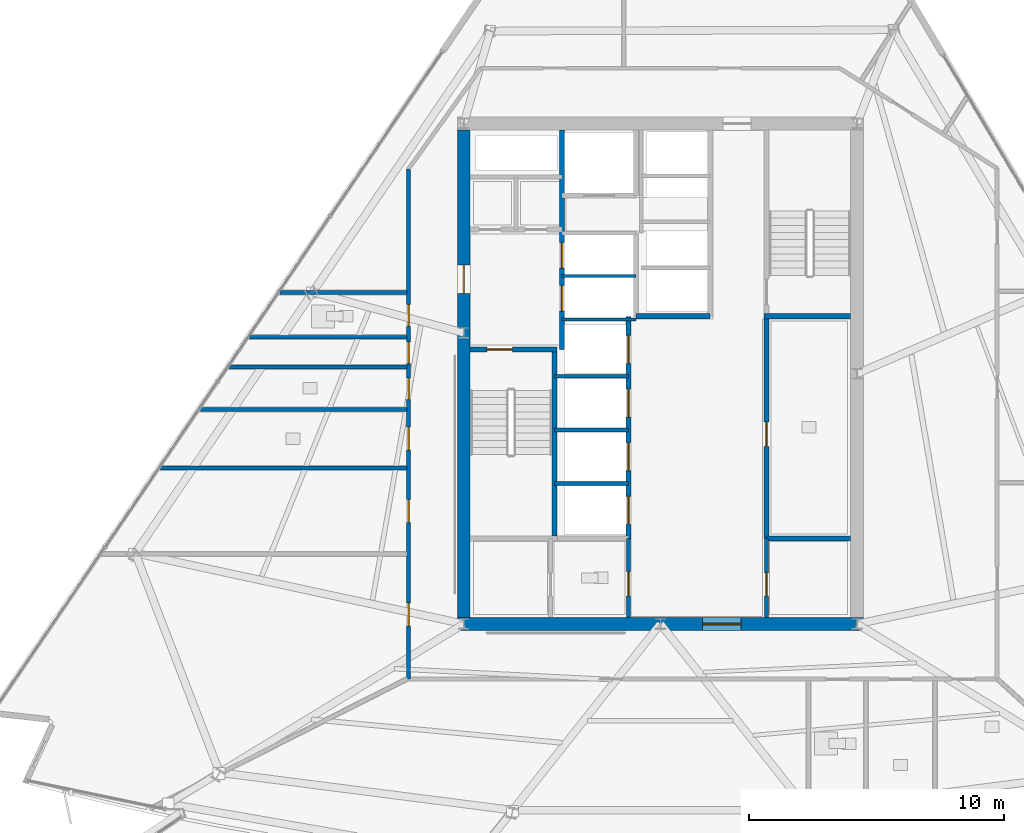
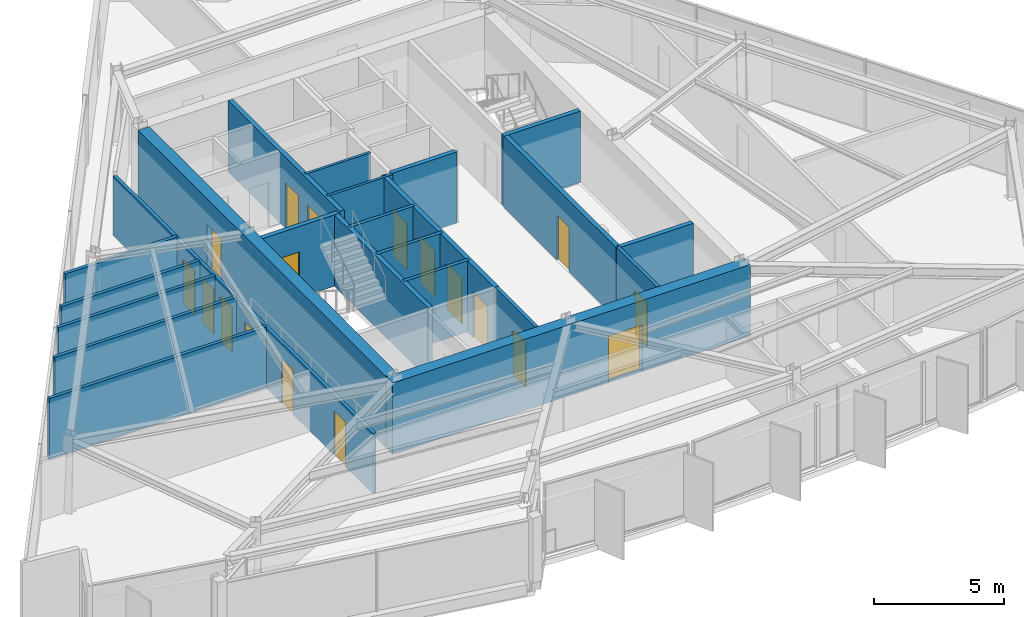
# One storey, part 8 of 14: 23 walls, 18 doors, 18 openings.
"""IFC4 building model written with IfcOpenShell, lengths in metres."""

from ifc_helpers import new_model, si_unit, direction, frame, frame_2d, origin, place, context, subcontext, project, spatial, rectangle, extrude, material, layer, layer_set, type_object, element, fill, save


model = new_model("IFC4")

# Units and contexts
model_context = context("Model", 3, precision=1e-05, world=origin(), true_north=direction((0.0, 1.0)))
body_context = subcontext(model_context, "Body", "Model", "MODEL_VIEW")
ifc_project = project(units=[si_unit("LENGTHUNIT", "METRE"), si_unit("AREAUNIT", "SQUARE_METRE"), si_unit("VOLUMEUNIT", "CUBIC_METRE"), si_unit("PLANEANGLEUNIT", "RADIAN"), si_unit("MASSUNIT", "GRAM", prefix="KILO")], contexts=[model_context])

# Site, building, storey
site_placement = place(None, origin())
site = spatial("IfcSite", under=ifc_project, at=site_placement, CompositionType="ELEMENT")
building_placement = place(site_placement, origin())
building = spatial("IfcBuilding", under=site, at=building_placement, Name="Savorim Split Tower", CompositionType="ELEMENT")
storey_placement = place(building_placement, frame((0.0, 0.0, 178.199951171875)))
storey = spatial("IfcBuildingStorey", under=building, at=storey_placement, Name="L47", CompositionType="ELEMENT", Elevation=178.199951171875)

# Wall, opening, door
ifc_material_1 = material(Name="Concrete C60/75", Category="concrete")
ifc_layer_1 = layer(ifc_material_1, 0.5)
ifc_layer_set_1 = layer_set([ifc_layer_1], Name="WAL-COR-SH500")
wall_type_1 = type_object("IfcWallType", Name="WAL-COR-SH500", PredefinedType="SHEAR", material=ifc_layer_set_1)
wall_1_placement = place(storey_placement, frame((-7.949951171875, -9.39990234375, 0.0), z_axis=(0.0, 0.0, 1.0), x_axis=(1.0, 0.0, 0.0)))
wall_1 = element("IfcWall", 1, at=wall_1_placement, inside=storey, type_object=wall_type_1, Name="L47 Offset Core South Shear Wall", PredefinedType="SHEAR", context=body_context, shape_type="SweptSolid", body=[
    extrude(rectangle(XDim=15.89990234375, YDim=0.5, at=frame_2d((7.949951171875, 0.0))), origin(), (0.0, 0.0, 1.0), 3.35009765625),
])
opening_1_placement = place(wall_1_placement, frame((9.60009765625, 0.0, 0.0)))
opening_1 = element("IfcOpeningElement", 2, at=opening_1_placement, cuts=wall_1, Name="Opening DI-02", PredefinedType="OPENING", context=body_context, shape_type="SweptSolid", body=[
    extrude(rectangle(XDim=1.5, YDim=2.199951171875, at=frame_2d((0.75, 1.10009765625))), frame((0.0, 0.260009765625, 0.0), z_axis=(0.0, -1.0, 0.0), x_axis=(1.0, 0.0, 0.0)), (0.0, 0.0, 1.0), 0.52001953125),
])
ifc_material_2 = material(Name="Timber Fire Door Leaf", Category="wood")
door_type_1 = type_object("IfcDoorType", Name="DOR-DBL-1500", OperationType="NOTDEFINED", PredefinedType="DOOR", material=ifc_material_2)
door_1_placement = place(opening_1_placement, origin())
door_1 = element("IfcDoor", 3, at=door_1_placement, inside=storey, type_object=door_type_1, Name="DOR-L47-COR-LLOB - L47 Lift Lobby Main Rated Door", OperationType="DOUBLE_DOOR_SINGLE_SWING", OverallHeight=2.199951171875, OverallWidth=1.5, PredefinedType="DOOR", context=body_context, shape_type="SweptSolid", body=[
    extrude(rectangle(XDim=1.5, YDim=2.199951171875, at=frame_2d((0.75, 1.10009765625))), frame((0.0, 0.02490234375, 0.0), z_axis=(0.0, -1.0, 0.0), x_axis=(1.0, 0.0, 0.0)), (0.0, 0.0, 1.0), 0.050048828125),
])
fill(opening_1, door_1)

wall_2_placement = place(storey_placement, frame((-7.699951171875, -9.14990234375, 0.0), z_axis=(0.0, 0.0, 1.0), x_axis=(0.0, 1.0, 0.0)))
wall_2 = element("IfcWall", 4, at=wall_2_placement, inside=storey, type_object=wall_type_1, Name="L47 Offset Core West Shear Wall", PredefinedType="SHEAR", context=body_context, shape_type="SweptSolid", body=[
    extrude(rectangle(XDim=19.099853515625, YDim=0.5, at=frame_2d((9.5498046875, 0.0))), origin(), (0.0, 0.0, 1.0), 3.35009765625),
])
opening_2_placement = place(wall_2_placement, frame((12.699951171875, 0.0, 0.0)))
opening_2 = element("IfcOpeningElement", 5, at=opening_2_placement, cuts=wall_2, Name="Opening DI-03", PredefinedType="OPENING", context=body_context, shape_type="SweptSolid", body=[
    extrude(rectangle(XDim=1.10009765625, YDim=2.14990234375, at=frame_2d((0.550048828125, 1.074951171875))), frame((0.0, 0.260009765625, 0.0), z_axis=(0.0, -1.0, 0.0), x_axis=(1.0, 0.0, 0.0)), (0.0, 0.0, 1.0), 0.52001953125),
])
door_type_2 = type_object("IfcDoorType", Name="DOR-FIR-1100", OperationType="NOTDEFINED", PredefinedType="DOOR", material=ifc_material_2)
door_2_placement = place(opening_2_placement, origin())
door_2 = element("IfcDoor", 6, at=door_2_placement, inside=storey, type_object=door_type_2, Name="DOR-L47-COR-FFLOB - L47 Firefighting Lobby Corridor Door", OperationType="SINGLE_SWING_LEFT", OverallHeight=2.14990234375, OverallWidth=1.10009765625, PredefinedType="DOOR", context=body_context, shape_type="SweptSolid", body=[
    extrude(rectangle(XDim=1.10009765625, YDim=2.14990234375, at=frame_2d((0.550048828125, 1.074951171875))), frame((0.0, 0.02490234375, 0.0), z_axis=(0.0, -1.0, 0.0), x_axis=(1.0, 0.0, 0.0)), (0.0, 0.0, 1.0), 0.050048828125),
])
fill(opening_2, door_2)

ifc_material_3 = material(Name="Concrete C50/60", Category="concrete")
ifc_layer_2 = layer(ifc_material_3, 0.199951171875)
ifc_layer_set_2 = layer_set([ifc_layer_2], Name="WAL-INT-RC200")
wall_type_2 = type_object("IfcWallType", Name="WAL-INT-RC200", PredefinedType="SOLIDWALL", material=ifc_layer_set_2)
wall_3_placement = place(storey_placement, frame((-7.449951171875, 1.35009765625, 0.0), z_axis=(0.0, 0.0, 1.0), x_axis=(1.0, 0.0, 0.0)))
wall_3 = element("IfcWall", 7, at=wall_3_placement, inside=storey, type_object=wall_type_2, Name="L47 Structural Shaft Wall W-L47-CR01", PredefinedType="SOLIDWALL", context=body_context, shape_type="SweptSolid", body=[
    extrude(rectangle(XDim=3.39990234375, YDim=0.199951171875, at=frame_2d((1.699951171875, 0.0))), origin(), (0.0, 0.0, 1.0), 3.35009765625),
])
opening_3_placement = place(wall_3_placement, frame((0.64990234375, 0.0, 0.0)))
opening_3 = element("IfcOpeningElement", 8, at=opening_3_placement, cuts=wall_3, Name="Opening DI-04", PredefinedType="OPENING", context=body_context, shape_type="SweptSolid", body=[
    extrude(rectangle(XDim=1.0, YDim=2.14990234375, at=frame_2d((0.5, 1.074951171875))), frame((0.0, 0.10986328125, 0.0), z_axis=(0.0, -1.0, 0.0), x_axis=(1.0, 0.0, 0.0)), (0.0, 0.0, 1.0), 0.219970703125),
])
door_type_3 = type_object("IfcDoorType", Name="DOR-FIR-1000", OperationType="NOTDEFINED", PredefinedType="DOOR", material=ifc_material_2)
door_3_placement = place(opening_3_placement, origin())
door_3 = element("IfcDoor", 9, at=door_3_placement, inside=storey, type_object=door_type_3, Name="DR-L47-ST1 - L47 Stair ST-1 Enclosure Door", OperationType="SINGLE_SWING_LEFT", OverallHeight=2.14990234375, OverallWidth=1.0, PredefinedType="DOOR", context=body_context, shape_type="SweptSolid", body=[
    extrude(rectangle(XDim=1.0, YDim=2.14990234375, at=frame_2d((0.5, 1.074951171875))), frame((0.0, 0.02490234375, 0.0), z_axis=(0.0, -1.0, 0.0), x_axis=(1.0, 0.0, 0.0)), (0.0, 0.0, 1.0), 0.050048828125),
])
fill(opening_3, door_3)

# Wall
wall_4_placement = place(storey_placement, frame((-4.14990234375, -5.949951171875, 0.0), z_axis=(0.0, 0.0, 1.0), x_axis=(0.0, 1.0, 0.0)))
element("IfcWall", 10, at=wall_4_placement, inside=storey, type_object=wall_type_2, Name="L47 Structural Shaft Wall W-L47-CR02", PredefinedType="SOLIDWALL", context=body_context, shape_type="SweptSolid", body=[
    extrude(rectangle(XDim=7.199951171875, YDim=0.199951171875, at=frame_2d((3.60009765625, 0.0))), origin(), (0.0, 0.0, 1.0), 3.35009765625),
])

# Wall, openings, doors
wall_5_placement = place(storey_placement, frame((-3.85009765625, 1.35009765625, 0.0), z_axis=(0.0, 0.0, 1.0), x_axis=(0.0, 1.0, 0.0)))
wall_5 = element("IfcWall", 11, at=wall_5_placement, inside=storey, type_object=wall_type_2, Name="L47 Partition W-L47-CR03", PredefinedType="SOLIDWALL", context=body_context, shape_type="SweptSolid", body=[
    extrude(rectangle(XDim=8.594970703125, YDim=0.199951171875, at=frame_2d((4.29736328125, 0.0))), origin(), (0.0, 0.0, 1.0), 3.35009765625),
])
opening_4_placement = place(wall_5_placement, frame((1.5, 0.0, 0.0)))
opening_4 = element("IfcOpeningElement", 12, at=opening_4_placement, cuts=wall_5, Name="Opening LD-FFL", PredefinedType="OPENING", context=body_context, shape_type="SweptSolid", body=[
    extrude(rectangle(XDim=1.0, YDim=2.14990234375, at=frame_2d((0.5, 1.074951171875))), frame((0.0, 0.10986328125, 0.0), z_axis=(0.0, -1.0, 0.0), x_axis=(1.0, 0.0, 0.0)), (0.0, 0.0, 1.0), 0.219970703125),
])
opening_5_placement = place(wall_5_placement, frame((3.179931640625, 0.0, 0.0)))
opening_5 = element("IfcOpeningElement", 13, at=opening_5_placement, cuts=wall_5, Name="Opening LD-FFL", PredefinedType="OPENING", context=body_context, shape_type="SweptSolid", body=[
    extrude(rectangle(XDim=1.0, YDim=2.14990234375, at=frame_2d((0.5, 1.074951171875))), frame((0.0, 0.10986328125, 0.0), z_axis=(0.0, -1.0, 0.0), x_axis=(1.0, 0.0, 0.0)), (0.0, 0.0, 1.0), 0.219970703125),
])
ifc_material_4 = material(Name="Charcoal Anodised Aluminium", Category="aluminium")
door_type_4 = type_object("IfcDoorType", Name="DOR-SLD-LD1000", OperationType="NOTDEFINED", PredefinedType="DOOR", material=ifc_material_4)
door_4_placement = place(opening_4_placement, origin())
door_4 = element("IfcDoor", 14, at=door_4_placement, inside=storey, type_object=door_type_4, Name="DR-L47-LD-FFL1 - L47 Firefighting Lift FFL-1 Sliding Landing Door", OperationType="DOUBLE_DOOR_SLIDING", OverallHeight=2.14990234375, OverallWidth=1.0, PredefinedType="DOOR", context=body_context, shape_type="SweptSolid", body=[
    extrude(rectangle(XDim=1.0, YDim=2.14990234375, at=frame_2d((0.5, 1.074951171875))), frame((0.0, 0.02490234375, 0.0), z_axis=(0.0, -1.0, 0.0), x_axis=(1.0, 0.0, 0.0)), (0.0, 0.0, 1.0), 0.050048828125),
])
fill(opening_4, door_4)
door_5_placement = place(opening_5_placement, origin())
door_5 = element("IfcDoor", 15, at=door_5_placement, inside=storey, type_object=door_type_4, Name="DR-L47-LD-FFL2 - L47 Firefighting Lift FFL-2 Sliding Landing Door", OperationType="DOUBLE_DOOR_SLIDING", OverallHeight=2.14990234375, OverallWidth=1.0, PredefinedType="DOOR", context=body_context, shape_type="SweptSolid", body=[
    extrude(rectangle(XDim=1.0, YDim=2.14990234375, at=frame_2d((0.5, 1.074951171875))), frame((0.0, 0.02490234375, 0.0), z_axis=(0.0, -1.0, 0.0), x_axis=(1.0, 0.0, 0.0)), (0.0, 0.0, 1.0), 0.050048828125),
])
fill(opening_5, door_5)

# Wall
wall_6_placement = place(storey_placement, frame((4.050048828125, 2.64990234375, 0.0), z_axis=(0.0, 0.0, 1.0), x_axis=(1.0, 0.0, 0.0)))
element("IfcWall", 16, at=wall_6_placement, inside=storey, type_object=wall_type_2, Name="L47 Structural Shaft Wall W-L47-CR08", PredefinedType="SOLIDWALL", context=body_context, shape_type="SweptSolid", body=[
    extrude(rectangle(XDim=3.39990234375, YDim=0.199951171875, at=frame_2d((1.699951171875, 0.0))), origin(), (0.0, 0.0, 1.0), 3.35009765625),
])

# Wall, opening, door
wall_7_placement = place(storey_placement, frame((4.14990234375, -6.050048828125, 0.0), z_axis=(0.0, 0.0, 1.0), x_axis=(0.0, 1.0, 0.0)))
wall_7 = element("IfcWall", 17, at=wall_7_placement, inside=storey, type_object=wall_type_2, Name="L47 Partition W-L47-B1FRONT", PredefinedType="SOLIDWALL", context=body_context, shape_type="SweptSolid", body=[
    extrude(rectangle(XDim=8.699951171875, YDim=0.199951171875, at=frame_2d((4.35009765625, 0.0))), origin(), (0.0, 0.0, 1.0), 3.35009765625),
])
opening_6_placement = place(wall_7_placement, frame((3.60009765625, 0.0, 0.0)))
opening_6 = element("IfcOpeningElement", 18, at=opening_6_placement, cuts=wall_7, Name="Opening DI-05", PredefinedType="OPENING", context=body_context, shape_type="SweptSolid", body=[
    extrude(rectangle(XDim=0.949951171875, YDim=2.10009765625, at=frame_2d((0.47509765625, 1.050048828125))), frame((0.0, 0.10986328125, 0.0), z_axis=(0.0, -1.0, 0.0), x_axis=(1.0, 0.0, 0.0)), (0.0, 0.0, 1.0), 0.219970703125),
])
door_type_5 = type_object("IfcDoorType", Name="DOR-FIR-950", OperationType="NOTDEFINED", PredefinedType="DOOR", material=ifc_material_2)
door_6_placement = place(opening_6_placement, origin())
door_6 = element("IfcDoor", 19, at=door_6_placement, inside=storey, type_object=door_type_5, Name="DR-L47-LV7B1 - L47 Community Laundry Room Door", OperationType="SINGLE_SWING_RIGHT", OverallHeight=2.10009765625, OverallWidth=0.949951171875, PredefinedType="DOOR", context=body_context, shape_type="SweptSolid", body=[
    extrude(rectangle(XDim=0.949951171875, YDim=2.10009765625, at=frame_2d((0.47509765625, 1.050048828125))), frame((0.0, 0.02490234375, 0.0), z_axis=(0.0, -1.0, 0.0), x_axis=(1.0, 0.0, 0.0)), (0.0, 0.0, 1.0), 0.050048828125),
])
fill(opening_6, door_6)

# Wall, openings, doors
wall_8_placement = place(storey_placement, frame((-1.25, -6.050048828125, 0.0), z_axis=(0.0, 0.0, 1.0), x_axis=(0.0, 1.0, 0.0)))
wall_8 = element("IfcWall", 20, at=wall_8_placement, inside=storey, type_object=wall_type_2, Name="L47 Partition W-L47-B2FRONT", PredefinedType="SOLIDWALL", context=body_context, shape_type="SweptSolid", body=[
    extrude(rectangle(XDim=8.699951171875, YDim=0.199951171875, at=frame_2d((4.35009765625, 0.0))), origin(), (0.0, 0.0, 1.0), 3.35009765625),
])
opening_7_placement = place(wall_8_placement, frame((0.550048828125, 0.0, 0.0)))
opening_7 = element("IfcOpeningElement", 21, at=opening_7_placement, cuts=wall_8, Name="Opening LD-02", PredefinedType="OPENING", context=body_context, shape_type="SweptSolid", body=[
    extrude(rectangle(XDim=1.10009765625, YDim=2.14990234375, at=frame_2d((0.550048828125, 1.074951171875))), frame((0.0, 0.10986328125, 0.0), z_axis=(0.0, -1.0, 0.0), x_axis=(1.0, 0.0, 0.0)), (0.0, 0.0, 1.0), 0.219970703125),
])
opening_8_placement = place(wall_8_placement, frame((2.64990234375, 0.0, 0.0)))
opening_8 = element("IfcOpeningElement", 22, at=opening_8_placement, cuts=wall_8, Name="Opening LD-02", PredefinedType="OPENING", context=body_context, shape_type="SweptSolid", body=[
    extrude(rectangle(XDim=1.10009765625, YDim=2.14990234375, at=frame_2d((0.550048828125, 1.074951171875))), frame((0.0, 0.10986328125, 0.0), z_axis=(0.0, -1.0, 0.0), x_axis=(1.0, 0.0, 0.0)), (0.0, 0.0, 1.0), 0.219970703125),
])
opening_9_placement = place(wall_8_placement, frame((4.75, 0.0, 0.0)))
opening_9 = element("IfcOpeningElement", 23, at=opening_9_placement, cuts=wall_8, Name="Opening LD-02", PredefinedType="OPENING", context=body_context, shape_type="SweptSolid", body=[
    extrude(rectangle(XDim=1.10009765625, YDim=2.14990234375, at=frame_2d((0.550048828125, 1.074951171875))), frame((0.0, 0.10986328125, 0.0), z_axis=(0.0, -1.0, 0.0), x_axis=(1.0, 0.0, 0.0)), (0.0, 0.0, 1.0), 0.219970703125),
])
opening_10_placement = place(wall_8_placement, frame((6.85009765625, 0.0, 0.0)))
opening_10 = element("IfcOpeningElement", 24, at=opening_10_placement, cuts=wall_8, Name="Opening LD-02", PredefinedType="OPENING", context=body_context, shape_type="SweptSolid", body=[
    extrude(rectangle(XDim=1.10009765625, YDim=2.14990234375, at=frame_2d((0.550048828125, 1.074951171875))), frame((0.0, 0.10986328125, 0.0), z_axis=(0.0, -1.0, 0.0), x_axis=(1.0, 0.0, 0.0)), (0.0, 0.0, 1.0), 0.219970703125),
])
door_type_6 = type_object("IfcDoorType", Name="DOR-SLD-LDM1100", OperationType="NOTDEFINED", PredefinedType="DOOR", material=ifc_material_4)
door_7_placement = place(opening_7_placement, origin())
door_7 = element("IfcDoor", 25, at=door_7_placement, inside=storey, type_object=door_type_6, Name="DR-L47-LD-PLM1 - L47 Lift PL-M1 Sliding Landing Door", OperationType="DOUBLE_DOOR_SLIDING", OverallHeight=2.14990234375, OverallWidth=1.10009765625, PredefinedType="DOOR", context=body_context, shape_type="SweptSolid", body=[
    extrude(rectangle(XDim=1.10009765625, YDim=2.14990234375, at=frame_2d((0.550048828125, 1.074951171875))), frame((0.0, 0.02490234375, 0.0), z_axis=(0.0, -1.0, 0.0), x_axis=(1.0, 0.0, 0.0)), (0.0, 0.0, 1.0), 0.050048828125),
])
fill(opening_7, door_7)
door_8_placement = place(opening_8_placement, origin())
door_8 = element("IfcDoor", 26, at=door_8_placement, inside=storey, type_object=door_type_6, Name="DR-L47-LD-PLM2 - L47 Lift PL-M2 Sliding Landing Door", OperationType="DOUBLE_DOOR_SLIDING", OverallHeight=2.14990234375, OverallWidth=1.10009765625, PredefinedType="DOOR", context=body_context, shape_type="SweptSolid", body=[
    extrude(rectangle(XDim=1.10009765625, YDim=2.14990234375, at=frame_2d((0.550048828125, 1.074951171875))), frame((0.0, 0.02490234375, 0.0), z_axis=(0.0, -1.0, 0.0), x_axis=(1.0, 0.0, 0.0)), (0.0, 0.0, 1.0), 0.050048828125),
])
fill(opening_8, door_8)
door_9_placement = place(opening_9_placement, origin())
door_9 = element("IfcDoor", 27, at=door_9_placement, inside=storey, type_object=door_type_6, Name="DR-L47-LD-PLM3 - L47 Lift PL-M3 Sliding Landing Door", OperationType="DOUBLE_DOOR_SLIDING", OverallHeight=2.14990234375, OverallWidth=1.10009765625, PredefinedType="DOOR", context=body_context, shape_type="SweptSolid", body=[
    extrude(rectangle(XDim=1.10009765625, YDim=2.14990234375, at=frame_2d((0.550048828125, 1.074951171875))), frame((0.0, 0.02490234375, 0.0), z_axis=(0.0, -1.0, 0.0), x_axis=(1.0, 0.0, 0.0)), (0.0, 0.0, 1.0), 0.050048828125),
])
fill(opening_9, door_9)
door_10_placement = place(opening_10_placement, origin())
door_10 = element("IfcDoor", 28, at=door_10_placement, inside=storey, type_object=door_type_6, Name="DR-L47-LD-PLM4 - L47 Lift PL-M4 Sliding Landing Door", OperationType="DOUBLE_DOOR_SLIDING", OverallHeight=2.14990234375, OverallWidth=1.10009765625, PredefinedType="DOOR", context=body_context, shape_type="SweptSolid", body=[
    extrude(rectangle(XDim=1.10009765625, YDim=2.14990234375, at=frame_2d((0.550048828125, 1.074951171875))), frame((0.0, 0.02490234375, 0.0), z_axis=(0.0, -1.0, 0.0), x_axis=(1.0, 0.0, 0.0)), (0.0, 0.0, 1.0), 0.050048828125),
])
fill(opening_10, door_10)

# Walls
wall_9_placement = place(storey_placement, frame((-0.949951171875, 2.64990234375, 0.0), z_axis=(0.0, 0.0, 1.0), x_axis=(1.0, 0.0, 0.0)))
element("IfcWall", 29, at=wall_9_placement, inside=storey, type_object=wall_type_2, Name="L47 Partition W-L47-B3SOUTH", PredefinedType="SOLIDWALL", context=body_context, shape_type="SweptSolid", body=[
    extrude(rectangle(XDim=2.89990234375, YDim=0.199951171875, at=frame_2d((1.449951171875, 0.0))), origin(), (0.0, 0.0, 1.0), 3.35009765625),
])
wall_10_placement = place(storey_placement, frame((4.14990234375, -6.050048828125, 0.0), z_axis=(0.0, 0.0, 1.0), x_axis=(1.0, 0.0, 0.0)))
element("IfcWall", 30, at=wall_10_placement, inside=storey, type_object=wall_type_2, Name="L47 Partition W-L47-KSEP-E", PredefinedType="SOLIDWALL", context=body_context, shape_type="SweptSolid", body=[
    extrude(rectangle(XDim=3.295166015625, YDim=0.199951171875, at=frame_2d((1.6474609375, 0.0))), origin(), (0.0, 0.0, 1.0), 3.35009765625),
])
ifc_material_5 = material(Name="Acoustic Gypsum Partition Board")
ifc_layer_3 = layer(ifc_material_5, 0.1201171875)
ifc_layer_set_3 = layer_set([ifc_layer_3], Name="WAL-PAR-120")
wall_type_3 = type_object("IfcWallType", Name="WAL-PAR-120", PredefinedType="PARTITIONING", material=ifc_layer_set_3)
for number, where, z_axis, x_axis, name in (
    (31, (-3.85009765625, 2.52001953125, 0.0), (0.0, 0.0, 1.0), (1.0, 0.0, 0.0), "L47 Partition W-L47-FFLD0"),
    (32, (-3.85009765625, 4.219970703125, 0.0), (0.0, 0.0, 1.0), (1.0, 0.0, 0.0), "L47 Partition W-L47-FFLD1"),
):
    element("IfcWall", number, at=place(storey_placement, frame(where, z_axis=z_axis, x_axis=x_axis)), inside=storey, type_object=wall_type_3, Name=name, PredefinedType="PARTITIONING", context=body_context, shape_type="SweptSolid", body=[
        extrude(rectangle(XDim=2.900146484375, YDim=0.1201171875, at=frame_2d((1.4501953125, 0.0))), origin(), (0.0, 0.0, 1.0), 3.35009765625),
    ])
ifc_layer_4 = layer(ifc_material_5, 0.14990234375)
ifc_layer_set_4 = layer_set([ifc_layer_4], Name="WAL-PAR-150")
wall_type_4 = type_object("IfcWallType", Name="WAL-PAR-150", PredefinedType="PARTITIONING", material=ifc_layer_set_4)
for number, where, z_axis, x_axis, name in (
    (33, (-4.14990234375, -3.89990234375, 0.0), (0.0, 0.0, 1.0), (1.0, 0.0, 0.0), "L47 Partition W-L47-B2DIV1"),
    (34, (-4.14990234375, -1.800048828125, 0.0), (0.0, 0.0, 1.0), (1.0, 0.0, 0.0), "L47 Partition W-L47-B2DIV2"),
    (35, (-4.14990234375, 0.300048828125, 0.0), (0.0, 0.0, 1.0), (1.0, 0.0, 0.0), "L47 Partition W-L47-B2DIV3"),
):
    element("IfcWall", number, at=place(storey_placement, frame(where, z_axis=z_axis, x_axis=x_axis)), inside=storey, type_object=wall_type_4, Name=name, PredefinedType="PARTITIONING", context=body_context, shape_type="SweptSolid", body=[
        extrude(rectangle(XDim=2.89990234375, YDim=0.14990234375, at=frame_2d((1.449951171875, 0.0))), origin(), (0.0, 0.0, 1.0), 3.35009765625),
    ])

# Wall, opening, door
wall_11_placement = place(storey_placement, frame((-1.25, -9.14501953125, 0.0), z_axis=(0.0, 0.0, 1.0), x_axis=(0.0, 1.0, 0.0)))
wall_11 = element("IfcWall", 36, at=wall_11_placement, inside=storey, type_object=wall_type_4, Name="L47 Partition W-L47-KLOB-W", PredefinedType="PARTITIONING", context=body_context, shape_type="SweptSolid", body=[
    extrude(rectangle(XDim=3.094970703125, YDim=0.14990234375, at=frame_2d((1.54736328125, 0.0))), origin(), (0.0, 0.0, 1.0), 3.35009765625),
])
opening_11_placement = place(wall_11_placement, frame((0.844970703125, 0.0, 0.0)))
opening_11 = element("IfcOpeningElement", 37, at=opening_11_placement, cuts=wall_11, Name="Opening DI-10", PredefinedType="OPENING", context=body_context, shape_type="SweptSolid", body=[
    extrude(rectangle(XDim=0.949951171875, YDim=2.10009765625, at=frame_2d((0.47509765625, 1.050048828125))), frame((0.0, 0.0849609375, 0.0), z_axis=(0.0, -1.0, 0.0), x_axis=(1.0, 0.0, 0.0)), (0.0, 0.0, 1.0), 0.169921875),
])
ifc_material_6 = material(Name="Oak Veneer Acoustic Door")
door_type_7 = type_object("IfcDoorType", Name="DOR-WC-950", OperationType="NOTDEFINED", PredefinedType="DOOR", material=ifc_material_6)
door_11_placement = place(opening_11_placement, origin())
door_11 = element("IfcDoor", 38, at=door_11_placement, inside=storey, type_object=door_type_7, Name="DR-L47-K1WC - L47 Core Accessible WC Door", OperationType="SINGLE_SWING_LEFT", OverallHeight=2.10009765625, OverallWidth=0.949951171875, PredefinedType="DOOR", context=body_context, shape_type="SweptSolid", body=[
    extrude(rectangle(XDim=0.949951171875, YDim=2.10009765625, at=frame_2d((0.47509765625, 1.050048828125))), frame((0.0, 0.02490234375, 0.0), z_axis=(0.0, -1.0, 0.0), x_axis=(1.0, 0.0, 0.0)), (0.0, 0.0, 1.0), 0.050048828125),
])
fill(opening_11, door_11)

wall_12_placement = place(storey_placement, frame((4.14990234375, -9.14501953125, 0.0), z_axis=(0.0, 0.0, 1.0), x_axis=(0.0, 1.0, 0.0)))
wall_12 = element("IfcWall", 39, at=wall_12_placement, inside=storey, type_object=wall_type_4, Name="L47 Partition W-L47-KLOB-E", PredefinedType="PARTITIONING", context=body_context, shape_type="SweptSolid", body=[
    extrude(rectangle(XDim=3.094970703125, YDim=0.14990234375, at=frame_2d((1.54736328125, 0.0))), origin(), (0.0, 0.0, 1.0), 3.35009765625),
])
opening_12_placement = place(wall_12_placement, frame((0.844970703125, 0.0, 0.0)))
opening_12 = element("IfcOpeningElement", 40, at=opening_12_placement, cuts=wall_12, Name="Opening DI-06", PredefinedType="OPENING", context=body_context, shape_type="SweptSolid", body=[
    extrude(rectangle(XDim=0.89990234375, YDim=2.10009765625, at=frame_2d((0.449951171875, 1.050048828125))), frame((0.0, 0.0849609375, 0.0), z_axis=(0.0, -1.0, 0.0), x_axis=(1.0, 0.0, 0.0)), (0.0, 0.0, 1.0), 0.169921875),
])
door_type_8 = type_object("IfcDoorType", Name="DOR-FIR-900", OperationType="NOTDEFINED", PredefinedType="DOOR", material=ifc_material_2)
door_12_placement = place(opening_12_placement, origin())
door_12 = element("IfcDoor", 41, at=door_12_placement, inside=storey, type_object=door_type_8, Name="DR-L47-K1IT - L47 Core IT Room Door", OperationType="SINGLE_SWING_LEFT", OverallHeight=2.10009765625, OverallWidth=0.89990234375, PredefinedType="DOOR", context=body_context, shape_type="SweptSolid", body=[
    extrude(rectangle(XDim=0.89990234375, YDim=2.10009765625, at=frame_2d((0.449951171875, 1.050048828125))), frame((0.0, 0.02490234375, 0.0), z_axis=(0.0, -1.0, 0.0), x_axis=(1.0, 0.0, 0.0)), (0.0, 0.0, 1.0), 0.050048828125),
])
fill(opening_12, door_12)

# Wall, openings, doors
wall_13_placement = place(storey_placement, frame((-9.860107421875, -11.56005859375, 0.0), z_axis=(0.0, 0.0, 1.0), x_axis=(0.0, 1.0, 0.0)))
wall_13 = element("IfcWall", 42, at=wall_13_placement, inside=storey, type_object=wall_type_4, Name="L47 Partition W-L47-COR-01", PredefinedType="PARTITIONING", context=body_context, shape_type="SweptSolid", body=[
    extrude(rectangle(XDim=19.98583984375, YDim=0.14990234375, at=frame_2d((9.992919921875, 0.0))), origin(), (0.0, 0.0, 1.0), 2.824951171875),
])
opening_13_placement = place(wall_13_placement, frame((10.941650390625, 0.0, 0.0)))
opening_13 = element("IfcOpeningElement", 43, at=opening_13_placement, cuts=wall_13, Name="Opening DI-13", PredefinedType="OPENING", context=body_context, shape_type="SweptSolid", body=[
    extrude(rectangle(XDim=0.85009765625, YDim=2.10009765625, at=frame_2d((0.425048828125, 1.050048828125))), frame((0.0, 0.0849609375, 0.0), z_axis=(0.0, -1.0, 0.0), x_axis=(1.0, 0.0, 0.0)), (0.0, 0.0, 1.0), 0.169921875),
])
opening_14_placement = place(wall_13_placement, frame((8.964599609375, 0.0, 0.0)))
opening_14 = element("IfcOpeningElement", 44, at=opening_14_placement, cuts=wall_13, Name="Opening DI-06", PredefinedType="OPENING", context=body_context, shape_type="SweptSolid", body=[
    extrude(rectangle(XDim=0.89990234375, YDim=2.10009765625, at=frame_2d((0.449951171875, 1.050048828125))), frame((0.0, 0.0849609375, 0.0), z_axis=(0.0, -1.0, 0.0), x_axis=(1.0, 0.0, 0.0)), (0.0, 0.0, 1.0), 0.169921875),
])
opening_15_placement = place(wall_13_placement, frame((6.133544921875, 0.0, 0.0)))
opening_15 = element("IfcOpeningElement", 45, at=opening_15_placement, cuts=wall_13, Name="Opening DI-06", PredefinedType="OPENING", context=body_context, shape_type="SweptSolid", body=[
    extrude(rectangle(XDim=0.89990234375, YDim=2.10009765625, at=frame_2d((0.449951171875, 1.050048828125))), frame((0.0, 0.0849609375, 0.0), z_axis=(0.0, -1.0, 0.0), x_axis=(1.0, 0.0, 0.0)), (0.0, 0.0, 1.0), 0.169921875),
])
opening_16_placement = place(wall_13_placement, frame((2.087890625, 0.0, 0.0)))
opening_16 = element("IfcOpeningElement", 46, at=opening_16_placement, cuts=wall_13, Name="Opening DI-06", PredefinedType="OPENING", context=body_context, shape_type="SweptSolid", body=[
    extrude(rectangle(XDim=0.89990234375, YDim=2.10009765625, at=frame_2d((0.449951171875, 1.050048828125))), frame((0.0, 0.0849609375, 0.0), z_axis=(0.0, -1.0, 0.0), x_axis=(1.0, 0.0, 0.0)), (0.0, 0.0, 1.0), 0.169921875),
])
opening_17_placement = place(wall_13_placement, frame((13.815185546875, 0.0, 0.0)))
opening_17 = element("IfcOpeningElement", 47, at=opening_17_placement, cuts=wall_13, Name="Opening DI-13", PredefinedType="OPENING", context=body_context, shape_type="SweptSolid", body=[
    extrude(rectangle(XDim=0.85009765625, YDim=2.10009765625, at=frame_2d((0.425048828125, 1.050048828125))), frame((0.0, 0.0849609375, 0.0), z_axis=(0.0, -1.0, 0.0), x_axis=(1.0, 0.0, 0.0)), (0.0, 0.0, 1.0), 0.169921875),
])
opening_18_placement = place(wall_13_placement, frame((12.357421875, 0.0, 0.0)))
opening_18 = element("IfcOpeningElement", 48, at=opening_18_placement, cuts=wall_13, Name="Opening DI-13", PredefinedType="OPENING", context=body_context, shape_type="SweptSolid", body=[
    extrude(rectangle(XDim=0.85009765625, YDim=2.10009765625, at=frame_2d((0.425048828125, 1.050048828125))), frame((0.0, 0.0849609375, 0.0), z_axis=(0.0, -1.0, 0.0), x_axis=(1.0, 0.0, 0.0)), (0.0, 0.0, 1.0), 0.169921875),
])
door_type_9 = type_object("IfcDoorType", Name="DOR-FIR-850", OperationType="NOTDEFINED", PredefinedType="DOOR", material=ifc_material_2)
door_13_placement = place(opening_13_placement, origin())
door_13 = element("IfcDoor", 49, at=door_13_placement, inside=storey, type_object=door_type_9, Name="DR-L47-RM01 - L47 Shared Kitchen Entry Door", OperationType="SINGLE_SWING_RIGHT", OverallHeight=2.10009765625, OverallWidth=0.85009765625, PredefinedType="DOOR", context=body_context, shape_type="SweptSolid", body=[
    extrude(rectangle(XDim=0.85009765625, YDim=2.10009765625, at=frame_2d((0.425048828125, 1.050048828125))), frame((0.0, 0.02490234375, 0.0), z_axis=(0.0, -1.0, 0.0), x_axis=(1.0, 0.0, 0.0)), (0.0, 0.0, 1.0), 0.050048828125),
])
fill(opening_13, door_13)
door_14_placement = place(opening_17_placement, origin())
door_14 = element("IfcDoor", 50, at=door_14_placement, inside=storey, type_object=door_type_9, Name="DR-L47-RM15 - L47 Shared Bathroom Entry Door", OperationType="SINGLE_SWING_RIGHT", OverallHeight=2.10009765625, OverallWidth=0.85009765625, PredefinedType="DOOR", context=body_context, shape_type="SweptSolid", body=[
    extrude(rectangle(XDim=0.85009765625, YDim=2.10009765625, at=frame_2d((0.425048828125, 1.050048828125))), frame((0.0, 0.02490234375, 0.0), z_axis=(0.0, -1.0, 0.0), x_axis=(1.0, 0.0, 0.0)), (0.0, 0.0, 1.0), 0.050048828125),
])
fill(opening_17, door_14)
door_15_placement = place(opening_18_placement, origin())
door_15 = element("IfcDoor", 51, at=door_15_placement, inside=storey, type_object=door_type_9, Name="DR-L47-RM16 - L47 Quiet Study Room Entry Door", OperationType="SINGLE_SWING_LEFT", OverallHeight=2.10009765625, OverallWidth=0.85009765625, PredefinedType="DOOR", context=body_context, shape_type="SweptSolid", body=[
    extrude(rectangle(XDim=0.85009765625, YDim=2.10009765625, at=frame_2d((0.425048828125, 1.050048828125))), frame((0.0, 0.02490234375, 0.0), z_axis=(0.0, -1.0, 0.0), x_axis=(1.0, 0.0, 0.0)), (0.0, 0.0, 1.0), 0.050048828125),
])
fill(opening_18, door_15)
door_16_placement = place(opening_14_placement, origin())
door_16 = element("IfcDoor", 52, at=door_16_placement, inside=storey, type_object=door_type_8, Name="DR-L47-RM02 - L47 Community Laundry Room Entry Door", OperationType="SINGLE_SWING_LEFT", OverallHeight=2.10009765625, OverallWidth=0.89990234375, PredefinedType="DOOR", context=body_context, shape_type="SweptSolid", body=[
    extrude(rectangle(XDim=0.89990234375, YDim=2.10009765625, at=frame_2d((0.449951171875, 1.050048828125))), frame((0.0, 0.02490234375, 0.0), z_axis=(0.0, -1.0, 0.0), x_axis=(1.0, 0.0, 0.0)), (0.0, 0.0, 1.0), 0.050048828125),
])
fill(opening_14, door_16)
door_17_placement = place(opening_15_placement, origin())
door_17 = element("IfcDoor", 53, at=door_17_placement, inside=storey, type_object=door_type_8, Name="DR-L47-RM03 - L47 Communal Lounge Entry Door", OperationType="SINGLE_SWING_RIGHT", OverallHeight=2.10009765625, OverallWidth=0.89990234375, PredefinedType="DOOR", context=body_context, shape_type="SweptSolid", body=[
    extrude(rectangle(XDim=0.89990234375, YDim=2.10009765625, at=frame_2d((0.449951171875, 1.050048828125))), frame((0.0, 0.02490234375, 0.0), z_axis=(0.0, -1.0, 0.0), x_axis=(1.0, 0.0, 0.0)), (0.0, 0.0, 1.0), 0.050048828125),
])
fill(opening_15, door_17)
door_18_placement = place(opening_16_placement, origin())
door_18 = element("IfcDoor", 54, at=door_18_placement, inside=storey, type_object=door_type_8, Name="DR-L47-RM04 - L47 Maker Workshop Entry Door", OperationType="SINGLE_SWING_LEFT", OverallHeight=2.10009765625, OverallWidth=0.89990234375, PredefinedType="DOOR", context=body_context, shape_type="SweptSolid", body=[
    extrude(rectangle(XDim=0.89990234375, YDim=2.10009765625, at=frame_2d((0.449951171875, 1.050048828125))), frame((0.0, 0.02490234375, 0.0), z_axis=(0.0, -1.0, 0.0), x_axis=(1.0, 0.0, 0.0)), (0.0, 0.0, 1.0), 0.050048828125),
])
fill(opening_16, door_18)

# Walls
wall_14_placement = place(storey_placement, frame((-9.919921875, 3.57958984375, 0.0), z_axis=(0.0, 0.0, 1.0), x_axis=(-1.0, 0.0, 0.0)))
element("IfcWall", 55, at=wall_14_placement, inside=storey, type_object=wall_type_4, Name="L47 Partition W-L47-PRAD09", PredefinedType="PARTITIONING", context=body_context, shape_type="SweptSolid", body=[
    extrude(rectangle(XDim=4.981689453125, YDim=0.14990234375, at=frame_2d((2.49072265625, 0.0))), origin(), (0.0, 0.0, 1.0), 2.93505859375),
])
wall_15_placement = place(storey_placement, frame((-9.919921875, -1.00048828125, 0.0), z_axis=(0.0, 0.0, 1.0), x_axis=(-1.0, 0.0, 0.0)))
element("IfcWall", 56, at=wall_15_placement, inside=storey, type_object=wall_type_4, Name="L47 Partition W-L47-SUB01", PredefinedType="PARTITIONING", context=body_context, shape_type="SweptSolid", body=[
    extrude(rectangle(XDim=8.09716796875, YDim=0.14990234375, at=frame_2d((4.048583984375, 0.0))), origin(), (0.0, 0.0, 1.0), 2.875),
])
wall_16_placement = place(storey_placement, frame((-9.919921875, -3.290283203125, 0.0), z_axis=(0.0, 0.0, 1.0), x_axis=(-1.0, 0.0, 0.0)))
element("IfcWall", 57, at=wall_16_placement, inside=storey, type_object=wall_type_4, Name="L47 Partition W-L47-SUB04", PredefinedType="PARTITIONING", context=body_context, shape_type="SweptSolid", body=[
    extrude(rectangle(XDim=9.655029296875, YDim=0.14990234375, at=frame_2d((4.82763671875, 0.0))), origin(), (0.0, 0.0, 1.0), 2.875),
])
wall_17_placement = place(storey_placement, frame((-9.919921875, 1.830810546875, 0.0), z_axis=(0.0, 0.0, 1.0), x_axis=(-1.0, 0.0, 0.0)))
element("IfcWall", 58, at=wall_17_placement, inside=storey, type_object=wall_type_4, Name="L47 Partition W-L47-SUB08", PredefinedType="PARTITIONING", context=body_context, shape_type="SweptSolid", body=[
    extrude(rectangle(XDim=6.17138671875, YDim=0.14990234375, at=frame_2d((3.085693359375, 0.0))), origin(), (0.0, 0.0, 1.0), 2.875),
])
wall_18_placement = place(storey_placement, frame((-9.919921875, 0.663818359375, 0.0), z_axis=(0.0, 0.0, 1.0), x_axis=(-1.0, 0.0, 0.0)))
element("IfcWall", 59, at=wall_18_placement, inside=storey, type_object=wall_type_4, Name="L47 Partition W-L47-SUB09", PredefinedType="PARTITIONING", context=body_context, shape_type="SweptSolid", body=[
    extrude(rectangle(XDim=6.965087890625, YDim=0.14990234375, at=frame_2d((3.482421875, 0.0))), origin(), (0.0, 0.0, 1.0), 2.875),
])

save(model, "model.ifc")
